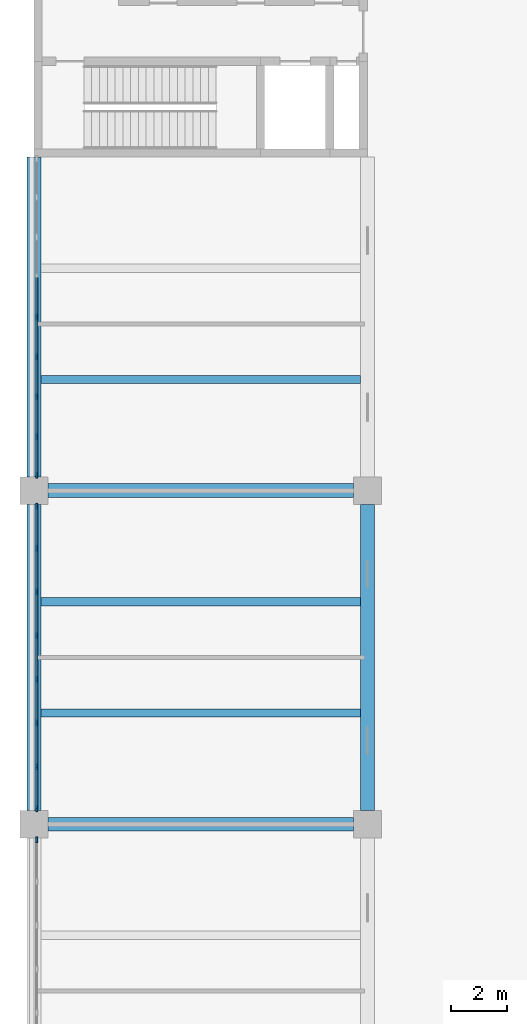
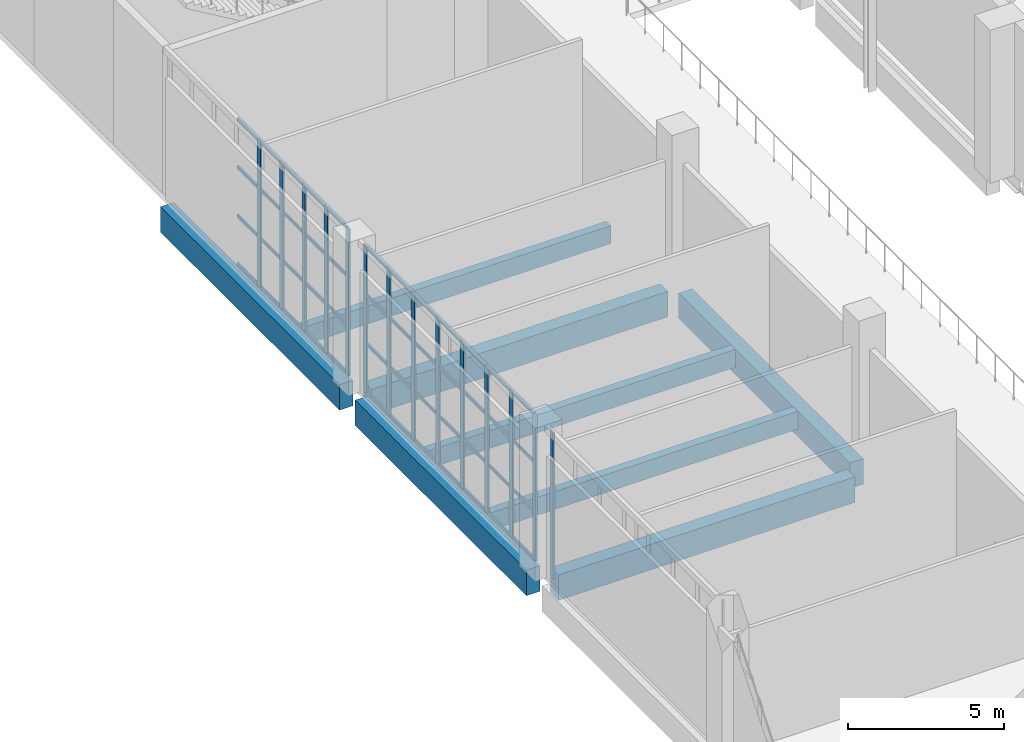
# One storey, part 19 of 72: 62 members, 8 beams, 3 elements without a shape of their own.
"""IFC4 building model written with IfcOpenShell, lengths in metres."""

from ifc_helpers import new_model, si_unit, direction, frame, origin, origin_2d, place, context, subcontext, project, spatial, rectangle, extrude, material, layer, layer_set, material_profile, profile_set, type_object, element, aggregate, save


model = new_model("IFC4")

# Units and contexts
model_context = context("Model", 3, precision=1e-05, world=origin(), true_north=direction((0.0, 1.0)))
body_context = subcontext(model_context, "Body", "Model", "MODEL_VIEW")
ifc_project = project(units=[si_unit("LENGTHUNIT", "METRE"), si_unit("AREAUNIT", "SQUARE_METRE"), si_unit("VOLUMEUNIT", "CUBIC_METRE"), si_unit("PLANEANGLEUNIT", "RADIAN"), si_unit("MASSUNIT", "GRAM", prefix="KILO")], contexts=[model_context])

# Site, building, storey
site_placement = place(None, origin())
site = spatial("IfcSite", under=ifc_project, at=site_placement, CompositionType="ELEMENT")
building_placement = place(site_placement, origin())
building = spatial("IfcBuilding", under=site, at=building_placement, Name="Lilac Gate Convention Centre", CompositionType="ELEMENT")
storey_placement = place(building_placement, frame((0.0, 0.0, 6.0)))
storey = spatial("IfcBuildingStorey", under=building, at=storey_placement, Name="L01", CompositionType="ELEMENT", Elevation=6.0)

# Curtain wall, members
ifc_material_1 = material(Name="Aluminium framed double glazing", Category="aluminium")
ifc_layer = layer(ifc_material_1, 0.199951171875)
ifc_layer_set = layer_set([ifc_layer], Name="Aluminium framed double glazing")
curtain_wall_type = type_object("IfcCurtainWallType", Name="Unitised curtain wall 1500", PredefinedType="NOTDEFINED", material=ifc_layer_set)
curtain_wall_1_placement = place(storey_placement, origin())
curtain_wall_1 = element("IfcCurtainWall", 1, at=curtain_wall_1_placement, inside=storey, type_object=curtain_wall_type, Name="Curtain wall PW L01 5", PredefinedType="NOTDEFINED")
ifc_material_2 = material(Name="Aluminium alloy 6063", Category="aluminium")
ifc_material_profile_1 = material_profile(ifc_material_2, rectangle(XDim=0.06005859375, YDim=0.219970703125, at=origin_2d()), Name="Curtain wall mullion 60 x 220")
ifc_profile_set_1 = profile_set([ifc_material_profile_1], Name="Aluminium alloy 6063")
member_type_1 = type_object("IfcMemberType", Name="Curtain wall mullion 60 x 220", PredefinedType="MULLION", material=ifc_profile_set_1)
member_1_placement = place(storey_placement, frame((6.10009765625, 144.25, 0.0), z_axis=(0.0, 0.0, 1.0), x_axis=(1.0, 0.0, 0.0)))
member_1 = element("IfcMember", 2, at=member_1_placement, type_object=member_type_1, Name="CW mullion 5", PredefinedType="MULLION", context=body_context, shape_type="SweptSolid", body=[
    extrude(rectangle(XDim=0.06005859375, YDim=0.219970703125, at=origin_2d()), origin(), (0.0, 0.0, 1.0), 5.75),
])
member_2_placement = place(storey_placement, frame((6.10009765625, 142.8125, 0.0), z_axis=(0.0, 0.0, 1.0), x_axis=(1.0, 0.0, 0.0)))
member_2 = element("IfcMember", 3, at=member_2_placement, type_object=member_type_1, Name="CW mullion 6", PredefinedType="MULLION", context=body_context, shape_type="SweptSolid", body=[
    extrude(rectangle(XDim=0.06005859375, YDim=0.219970703125, at=origin_2d()), origin(), (0.0, 0.0, 1.0), 5.75),
])
member_3_placement = place(storey_placement, frame((6.10009765625, 141.375, 0.0), z_axis=(0.0, 0.0, 1.0), x_axis=(1.0, 0.0, 0.0)))
member_3 = element("IfcMember", 4, at=member_3_placement, type_object=member_type_1, Name="CW mullion 7", PredefinedType="MULLION", context=body_context, shape_type="SweptSolid", body=[
    extrude(rectangle(XDim=0.06005859375, YDim=0.219970703125, at=origin_2d()), origin(), (0.0, 0.0, 1.0), 5.75),
])
member_4_placement = place(storey_placement, frame((6.10009765625, 139.9375, 0.0), z_axis=(0.0, 0.0, 1.0), x_axis=(1.0, 0.0, 0.0)))
member_4 = element("IfcMember", 5, at=member_4_placement, type_object=member_type_1, Name="CW mullion 8", PredefinedType="MULLION", context=body_context, shape_type="SweptSolid", body=[
    extrude(rectangle(XDim=0.06005859375, YDim=0.219970703125, at=origin_2d()), origin(), (0.0, 0.0, 1.0), 5.75),
])
member_5_placement = place(storey_placement, frame((6.10009765625, 138.56005859375, 0.0), z_axis=(0.0, 0.0, 1.0), x_axis=(1.0, 0.0, 0.0)))
member_5 = element("IfcMember", 6, at=member_5_placement, type_object=member_type_1, Name="CW mullion 9", PredefinedType="MULLION", context=body_context, shape_type="SweptSolid", body=[
    extrude(rectangle(XDim=0.06005859375, YDim=0.219970703125, at=origin_2d()), origin(), (0.0, 0.0, 1.0), 5.75),
])

curtain_wall_2_placement = place(storey_placement, origin())
curtain_wall_2 = element("IfcCurtainWall", 7, at=curtain_wall_2_placement, inside=storey, type_object=curtain_wall_type, Name="Curtain wall PW L01 6", PredefinedType="NOTDEFINED")
member_6_placement = place(storey_placement, frame((6.10009765625, 137.43994140625, 0.0), z_axis=(0.0, 0.0, 1.0), x_axis=(1.0, 0.0, 0.0)))
member_6 = element("IfcMember", 8, at=member_6_placement, type_object=member_type_1, Name="CW mullion 1", PredefinedType="MULLION", context=body_context, shape_type="SweptSolid", body=[
    extrude(rectangle(XDim=0.06005859375, YDim=0.219970703125, at=origin_2d()), origin(), (0.0, 0.0, 1.0), 5.75),
])
member_7_placement = place(storey_placement, frame((6.10009765625, 135.928466796875, 0.0), z_axis=(0.0, 0.0, 1.0), x_axis=(1.0, 0.0, 0.0)))
member_7 = element("IfcMember", 9, at=member_7_placement, type_object=member_type_1, Name="CW mullion 2", PredefinedType="MULLION", context=body_context, shape_type="SweptSolid", body=[
    extrude(rectangle(XDim=0.06005859375, YDim=0.219970703125, at=origin_2d()), origin(), (0.0, 0.0, 1.0), 5.75),
])
member_8_placement = place(storey_placement, frame((6.10009765625, 134.357177734375, 0.0), z_axis=(0.0, 0.0, 1.0), x_axis=(1.0, 0.0, 0.0)))
member_8 = element("IfcMember", 10, at=member_8_placement, type_object=member_type_1, Name="CW mullion 3", PredefinedType="MULLION", context=body_context, shape_type="SweptSolid", body=[
    extrude(rectangle(XDim=0.06005859375, YDim=0.219970703125, at=origin_2d()), origin(), (0.0, 0.0, 1.0), 5.75),
])
member_9_placement = place(storey_placement, frame((6.10009765625, 132.78564453125, 0.0), z_axis=(0.0, 0.0, 1.0), x_axis=(1.0, 0.0, 0.0)))
member_9 = element("IfcMember", 11, at=member_9_placement, type_object=member_type_1, Name="CW mullion 4", PredefinedType="MULLION", context=body_context, shape_type="SweptSolid", body=[
    extrude(rectangle(XDim=0.06005859375, YDim=0.219970703125, at=origin_2d()), origin(), (0.0, 0.0, 1.0), 5.75),
])
member_10_placement = place(storey_placement, frame((6.10009765625, 131.21435546875, 0.0), z_axis=(0.0, 0.0, 1.0), x_axis=(1.0, 0.0, 0.0)))
member_10 = element("IfcMember", 12, at=member_10_placement, type_object=member_type_1, Name="CW mullion 5", PredefinedType="MULLION", context=body_context, shape_type="SweptSolid", body=[
    extrude(rectangle(XDim=0.06005859375, YDim=0.219970703125, at=origin_2d()), origin(), (0.0, 0.0, 1.0), 5.75),
])
member_11_placement = place(storey_placement, frame((6.10009765625, 129.642822265625, 0.0), z_axis=(0.0, 0.0, 1.0), x_axis=(1.0, 0.0, 0.0)))
member_11 = element("IfcMember", 13, at=member_11_placement, type_object=member_type_1, Name="CW mullion 6", PredefinedType="MULLION", context=body_context, shape_type="SweptSolid", body=[
    extrude(rectangle(XDim=0.06005859375, YDim=0.219970703125, at=origin_2d()), origin(), (0.0, 0.0, 1.0), 5.75),
])
member_12_placement = place(storey_placement, frame((6.10009765625, 128.071533203125, 0.0), z_axis=(0.0, 0.0, 1.0), x_axis=(1.0, 0.0, 0.0)))
member_12 = element("IfcMember", 14, at=member_12_placement, type_object=member_type_1, Name="CW mullion 7", PredefinedType="MULLION", context=body_context, shape_type="SweptSolid", body=[
    extrude(rectangle(XDim=0.06005859375, YDim=0.219970703125, at=origin_2d()), origin(), (0.0, 0.0, 1.0), 5.75),
])
member_13_placement = place(storey_placement, frame((6.10009765625, 126.56005859375, 0.0), z_axis=(0.0, 0.0, 1.0), x_axis=(1.0, 0.0, 0.0)))
member_13 = element("IfcMember", 15, at=member_13_placement, type_object=member_type_1, Name="CW mullion 8", PredefinedType="MULLION", context=body_context, shape_type="SweptSolid", body=[
    extrude(rectangle(XDim=0.06005859375, YDim=0.219970703125, at=origin_2d()), origin(), (0.0, 0.0, 1.0), 5.75),
])

# Curtain wall, member
curtain_wall_3_placement = place(storey_placement, origin())
curtain_wall_3 = element("IfcCurtainWall", 16, at=curtain_wall_3_placement, inside=storey, type_object=curtain_wall_type, Name="Curtain wall PW L01 7", PredefinedType="NOTDEFINED")
member_14_placement = place(storey_placement, frame((6.10009765625, 125.43994140625, 0.0), z_axis=(0.0, 0.0, 1.0), x_axis=(1.0, 0.0, 0.0)))
member_14 = element("IfcMember", 17, at=member_14_placement, type_object=member_type_1, Name="CW mullion 1", PredefinedType="MULLION", context=body_context, shape_type="SweptSolid", body=[
    extrude(rectangle(XDim=0.06005859375, YDim=0.219970703125, at=origin_2d()), origin(), (0.0, 0.0, 1.0), 5.75),
])
aggregate(curtain_wall_3, [member_14])

# Member
ifc_material_profile_2 = material_profile(ifc_material_2, rectangle(XDim=0.06005859375, YDim=0.1201171875, at=origin_2d()), Name="Curtain wall transom 60 x 120")
ifc_profile_set_2 = profile_set([ifc_material_profile_2], Name="Aluminium alloy 6063")
member_type_2 = type_object("IfcMemberType", Name="Curtain wall transom 60 x 120", PredefinedType="USERDEFINED", material=ifc_profile_set_2)
member_15_placement = place(storey_placement, frame((6.10009765625, 145.657470703125, 0.030029296875), z_axis=(0.0, -1.0, 0.0), x_axis=(1.0, 0.0, 0.0)))
member_15 = element("IfcMember", 18, at=member_15_placement, type_object=member_type_2, Name="CW transom 4.1", ObjectType="TRANSOM", PredefinedType="USERDEFINED", context=body_context, shape_type="SweptSolid", body=[
    extrude(rectangle(XDim=0.06005859375, YDim=0.1201171875, at=origin_2d()), origin(), (0.0, 0.0, 1.0), 1.37744140625),
])

member_16_placement = place(storey_placement, frame((6.10009765625, 145.657470703125, 1.916748046875), z_axis=(0.0, -1.0, 0.0), x_axis=(1.0, 0.0, 0.0)))
member_16 = element("IfcMember", 19, at=member_16_placement, type_object=member_type_2, Name="CW transom 4.2", ObjectType="TRANSOM", PredefinedType="USERDEFINED", context=body_context, shape_type="SweptSolid", body=[
    extrude(rectangle(XDim=0.06005859375, YDim=0.1201171875, at=origin_2d()), origin(), (0.0, 0.0, 1.0), 1.37744140625),
])

member_17_placement = place(storey_placement, frame((6.10009765625, 145.657470703125, 3.833251953125), z_axis=(0.0, -1.0, 0.0), x_axis=(1.0, 0.0, 0.0)))
member_17 = element("IfcMember", 20, at=member_17_placement, type_object=member_type_2, Name="CW transom 4.3", ObjectType="TRANSOM", PredefinedType="USERDEFINED", context=body_context, shape_type="SweptSolid", body=[
    extrude(rectangle(XDim=0.06005859375, YDim=0.1201171875, at=origin_2d()), origin(), (0.0, 0.0, 1.0), 1.37744140625),
])

member_18_placement = place(storey_placement, frame((6.10009765625, 145.657470703125, 5.719970703125), z_axis=(0.0, -1.0, 0.0), x_axis=(1.0, 0.0, 0.0)))
member_18 = element("IfcMember", 21, at=member_18_placement, type_object=member_type_2, Name="CW transom 4.4", ObjectType="TRANSOM", PredefinedType="USERDEFINED", context=body_context, shape_type="SweptSolid", body=[
    extrude(rectangle(XDim=0.06005859375, YDim=0.1201171875, at=origin_2d()), origin(), (0.0, 0.0, 1.0), 1.37744140625),
])

member_19_placement = place(storey_placement, frame((6.10009765625, 144.219970703125, 0.030029296875), z_axis=(0.0, -1.0, 0.0), x_axis=(1.0, 0.0, 0.0)))
member_19 = element("IfcMember", 22, at=member_19_placement, type_object=member_type_2, Name="CW transom 5.1", ObjectType="TRANSOM", PredefinedType="USERDEFINED", context=body_context, shape_type="SweptSolid", body=[
    extrude(rectangle(XDim=0.06005859375, YDim=0.1201171875, at=origin_2d()), origin(), (0.0, 0.0, 1.0), 1.37744140625),
])

member_20_placement = place(storey_placement, frame((6.10009765625, 144.219970703125, 1.916748046875), z_axis=(0.0, -1.0, 0.0), x_axis=(1.0, 0.0, 0.0)))
member_20 = element("IfcMember", 23, at=member_20_placement, type_object=member_type_2, Name="CW transom 5.2", ObjectType="TRANSOM", PredefinedType="USERDEFINED", context=body_context, shape_type="SweptSolid", body=[
    extrude(rectangle(XDim=0.06005859375, YDim=0.1201171875, at=origin_2d()), origin(), (0.0, 0.0, 1.0), 1.37744140625),
])

member_21_placement = place(storey_placement, frame((6.10009765625, 144.219970703125, 3.833251953125), z_axis=(0.0, -1.0, 0.0), x_axis=(1.0, 0.0, 0.0)))
member_21 = element("IfcMember", 24, at=member_21_placement, type_object=member_type_2, Name="CW transom 5.3", ObjectType="TRANSOM", PredefinedType="USERDEFINED", context=body_context, shape_type="SweptSolid", body=[
    extrude(rectangle(XDim=0.06005859375, YDim=0.1201171875, at=origin_2d()), origin(), (0.0, 0.0, 1.0), 1.37744140625),
])

member_22_placement = place(storey_placement, frame((6.10009765625, 144.219970703125, 5.719970703125), z_axis=(0.0, -1.0, 0.0), x_axis=(1.0, 0.0, 0.0)))
member_22 = element("IfcMember", 25, at=member_22_placement, type_object=member_type_2, Name="CW transom 5.4", ObjectType="TRANSOM", PredefinedType="USERDEFINED", context=body_context, shape_type="SweptSolid", body=[
    extrude(rectangle(XDim=0.06005859375, YDim=0.1201171875, at=origin_2d()), origin(), (0.0, 0.0, 1.0), 1.37744140625),
])

member_23_placement = place(storey_placement, frame((6.10009765625, 142.782470703125, 0.030029296875), z_axis=(0.0, -1.0, 0.0), x_axis=(1.0, 0.0, 0.0)))
member_23 = element("IfcMember", 26, at=member_23_placement, type_object=member_type_2, Name="CW transom 6.1", ObjectType="TRANSOM", PredefinedType="USERDEFINED", context=body_context, shape_type="SweptSolid", body=[
    extrude(rectangle(XDim=0.06005859375, YDim=0.1201171875, at=origin_2d()), origin(), (0.0, 0.0, 1.0), 1.37744140625),
])

member_24_placement = place(storey_placement, frame((6.10009765625, 142.782470703125, 1.916748046875), z_axis=(0.0, -1.0, 0.0), x_axis=(1.0, 0.0, 0.0)))
member_24 = element("IfcMember", 27, at=member_24_placement, type_object=member_type_2, Name="CW transom 6.2", ObjectType="TRANSOM", PredefinedType="USERDEFINED", context=body_context, shape_type="SweptSolid", body=[
    extrude(rectangle(XDim=0.06005859375, YDim=0.1201171875, at=origin_2d()), origin(), (0.0, 0.0, 1.0), 1.37744140625),
])

member_25_placement = place(storey_placement, frame((6.10009765625, 142.782470703125, 3.833251953125), z_axis=(0.0, -1.0, 0.0), x_axis=(1.0, 0.0, 0.0)))
member_25 = element("IfcMember", 28, at=member_25_placement, type_object=member_type_2, Name="CW transom 6.3", ObjectType="TRANSOM", PredefinedType="USERDEFINED", context=body_context, shape_type="SweptSolid", body=[
    extrude(rectangle(XDim=0.06005859375, YDim=0.1201171875, at=origin_2d()), origin(), (0.0, 0.0, 1.0), 1.37744140625),
])

member_26_placement = place(storey_placement, frame((6.10009765625, 142.782470703125, 5.719970703125), z_axis=(0.0, -1.0, 0.0), x_axis=(1.0, 0.0, 0.0)))
member_26 = element("IfcMember", 29, at=member_26_placement, type_object=member_type_2, Name="CW transom 6.4", ObjectType="TRANSOM", PredefinedType="USERDEFINED", context=body_context, shape_type="SweptSolid", body=[
    extrude(rectangle(XDim=0.06005859375, YDim=0.1201171875, at=origin_2d()), origin(), (0.0, 0.0, 1.0), 1.37744140625),
])

member_27_placement = place(storey_placement, frame((6.10009765625, 141.344970703125, 0.030029296875), z_axis=(0.0, -1.0, 0.0), x_axis=(1.0, 0.0, 0.0)))
member_27 = element("IfcMember", 30, at=member_27_placement, type_object=member_type_2, Name="CW transom 7.1", ObjectType="TRANSOM", PredefinedType="USERDEFINED", context=body_context, shape_type="SweptSolid", body=[
    extrude(rectangle(XDim=0.06005859375, YDim=0.1201171875, at=origin_2d()), origin(), (0.0, 0.0, 1.0), 1.37744140625),
])

member_28_placement = place(storey_placement, frame((6.10009765625, 141.344970703125, 1.916748046875), z_axis=(0.0, -1.0, 0.0), x_axis=(1.0, 0.0, 0.0)))
member_28 = element("IfcMember", 31, at=member_28_placement, type_object=member_type_2, Name="CW transom 7.2", ObjectType="TRANSOM", PredefinedType="USERDEFINED", context=body_context, shape_type="SweptSolid", body=[
    extrude(rectangle(XDim=0.06005859375, YDim=0.1201171875, at=origin_2d()), origin(), (0.0, 0.0, 1.0), 1.37744140625),
])

member_29_placement = place(storey_placement, frame((6.10009765625, 141.344970703125, 3.833251953125), z_axis=(0.0, -1.0, 0.0), x_axis=(1.0, 0.0, 0.0)))
member_29 = element("IfcMember", 32, at=member_29_placement, type_object=member_type_2, Name="CW transom 7.3", ObjectType="TRANSOM", PredefinedType="USERDEFINED", context=body_context, shape_type="SweptSolid", body=[
    extrude(rectangle(XDim=0.06005859375, YDim=0.1201171875, at=origin_2d()), origin(), (0.0, 0.0, 1.0), 1.37744140625),
])

member_30_placement = place(storey_placement, frame((6.10009765625, 141.344970703125, 5.719970703125), z_axis=(0.0, -1.0, 0.0), x_axis=(1.0, 0.0, 0.0)))
member_30 = element("IfcMember", 33, at=member_30_placement, type_object=member_type_2, Name="CW transom 7.4", ObjectType="TRANSOM", PredefinedType="USERDEFINED", context=body_context, shape_type="SweptSolid", body=[
    extrude(rectangle(XDim=0.06005859375, YDim=0.1201171875, at=origin_2d()), origin(), (0.0, 0.0, 1.0), 1.37744140625),
])

member_31_placement = place(storey_placement, frame((6.10009765625, 139.907470703125, 0.030029296875), z_axis=(0.0, -1.0, 0.0), x_axis=(1.0, 0.0, 0.0)))
member_31 = element("IfcMember", 34, at=member_31_placement, type_object=member_type_2, Name="CW transom 8.1", ObjectType="TRANSOM", PredefinedType="USERDEFINED", context=body_context, shape_type="SweptSolid", body=[
    extrude(rectangle(XDim=0.06005859375, YDim=0.1201171875, at=origin_2d()), origin(), (0.0, 0.0, 1.0), 1.347412109375),
])

member_32_placement = place(storey_placement, frame((6.10009765625, 139.907470703125, 1.916748046875), z_axis=(0.0, -1.0, 0.0), x_axis=(1.0, 0.0, 0.0)))
member_32 = element("IfcMember", 35, at=member_32_placement, type_object=member_type_2, Name="CW transom 8.2", ObjectType="TRANSOM", PredefinedType="USERDEFINED", context=body_context, shape_type="SweptSolid", body=[
    extrude(rectangle(XDim=0.06005859375, YDim=0.1201171875, at=origin_2d()), origin(), (0.0, 0.0, 1.0), 1.347412109375),
])

member_33_placement = place(storey_placement, frame((6.10009765625, 139.907470703125, 3.833251953125), z_axis=(0.0, -1.0, 0.0), x_axis=(1.0, 0.0, 0.0)))
member_33 = element("IfcMember", 36, at=member_33_placement, type_object=member_type_2, Name="CW transom 8.3", ObjectType="TRANSOM", PredefinedType="USERDEFINED", context=body_context, shape_type="SweptSolid", body=[
    extrude(rectangle(XDim=0.06005859375, YDim=0.1201171875, at=origin_2d()), origin(), (0.0, 0.0, 1.0), 1.347412109375),
])

member_34_placement = place(storey_placement, frame((6.10009765625, 139.907470703125, 5.719970703125), z_axis=(0.0, -1.0, 0.0), x_axis=(1.0, 0.0, 0.0)))
member_34 = element("IfcMember", 37, at=member_34_placement, type_object=member_type_2, Name="CW transom 8.4", ObjectType="TRANSOM", PredefinedType="USERDEFINED", context=body_context, shape_type="SweptSolid", body=[
    extrude(rectangle(XDim=0.06005859375, YDim=0.1201171875, at=origin_2d()), origin(), (0.0, 0.0, 1.0), 1.347412109375),
])

aggregate(curtain_wall_1, [member_1, member_2, member_3, member_4, member_5, member_15, member_16, member_17, member_18, member_19, member_20, member_21, member_22, member_23, member_24, member_25, member_26, member_27, member_28, member_29, member_30, member_31, member_32, member_33, member_34])

member_35_placement = place(storey_placement, frame((6.10009765625, 137.43994140625, 0.030029296875), z_axis=(0.0, -1.0, 0.0), x_axis=(1.0, 0.0, 0.0)))
member_35 = element("IfcMember", 38, at=member_35_placement, type_object=member_type_2, Name="CW transom 1.1", ObjectType="TRANSOM", PredefinedType="USERDEFINED", context=body_context, shape_type="SweptSolid", body=[
    extrude(rectangle(XDim=0.06005859375, YDim=0.1201171875, at=origin_2d()), origin(), (0.0, 0.0, 1.0), 1.4814453125),
])

member_36_placement = place(storey_placement, frame((6.10009765625, 137.43994140625, 1.916748046875), z_axis=(0.0, -1.0, 0.0), x_axis=(1.0, 0.0, 0.0)))
member_36 = element("IfcMember", 39, at=member_36_placement, type_object=member_type_2, Name="CW transom 1.2", ObjectType="TRANSOM", PredefinedType="USERDEFINED", context=body_context, shape_type="SweptSolid", body=[
    extrude(rectangle(XDim=0.06005859375, YDim=0.1201171875, at=origin_2d()), origin(), (0.0, 0.0, 1.0), 1.4814453125),
])

member_37_placement = place(storey_placement, frame((6.10009765625, 137.43994140625, 3.833251953125), z_axis=(0.0, -1.0, 0.0), x_axis=(1.0, 0.0, 0.0)))
member_37 = element("IfcMember", 40, at=member_37_placement, type_object=member_type_2, Name="CW transom 1.3", ObjectType="TRANSOM", PredefinedType="USERDEFINED", context=body_context, shape_type="SweptSolid", body=[
    extrude(rectangle(XDim=0.06005859375, YDim=0.1201171875, at=origin_2d()), origin(), (0.0, 0.0, 1.0), 1.4814453125),
])

member_38_placement = place(storey_placement, frame((6.10009765625, 137.43994140625, 5.719970703125), z_axis=(0.0, -1.0, 0.0), x_axis=(1.0, 0.0, 0.0)))
member_38 = element("IfcMember", 41, at=member_38_placement, type_object=member_type_2, Name="CW transom 1.4", ObjectType="TRANSOM", PredefinedType="USERDEFINED", context=body_context, shape_type="SweptSolid", body=[
    extrude(rectangle(XDim=0.06005859375, YDim=0.1201171875, at=origin_2d()), origin(), (0.0, 0.0, 1.0), 1.4814453125),
])

member_39_placement = place(storey_placement, frame((6.10009765625, 135.898681640625, 0.030029296875), z_axis=(0.0, -1.0, 0.0), x_axis=(1.0, 0.0, 0.0)))
member_39 = element("IfcMember", 42, at=member_39_placement, type_object=member_type_2, Name="CW transom 2.1", ObjectType="TRANSOM", PredefinedType="USERDEFINED", context=body_context, shape_type="SweptSolid", body=[
    extrude(rectangle(XDim=0.06005859375, YDim=0.1201171875, at=origin_2d()), origin(), (0.0, 0.0, 1.0), 1.511474609375),
])

member_40_placement = place(storey_placement, frame((6.10009765625, 135.898681640625, 1.916748046875), z_axis=(0.0, -1.0, 0.0), x_axis=(1.0, 0.0, 0.0)))
member_40 = element("IfcMember", 43, at=member_40_placement, type_object=member_type_2, Name="CW transom 2.2", ObjectType="TRANSOM", PredefinedType="USERDEFINED", context=body_context, shape_type="SweptSolid", body=[
    extrude(rectangle(XDim=0.06005859375, YDim=0.1201171875, at=origin_2d()), origin(), (0.0, 0.0, 1.0), 1.511474609375),
])

member_41_placement = place(storey_placement, frame((6.10009765625, 135.898681640625, 3.833251953125), z_axis=(0.0, -1.0, 0.0), x_axis=(1.0, 0.0, 0.0)))
member_41 = element("IfcMember", 44, at=member_41_placement, type_object=member_type_2, Name="CW transom 2.3", ObjectType="TRANSOM", PredefinedType="USERDEFINED", context=body_context, shape_type="SweptSolid", body=[
    extrude(rectangle(XDim=0.06005859375, YDim=0.1201171875, at=origin_2d()), origin(), (0.0, 0.0, 1.0), 1.511474609375),
])

member_42_placement = place(storey_placement, frame((6.10009765625, 135.898681640625, 5.719970703125), z_axis=(0.0, -1.0, 0.0), x_axis=(1.0, 0.0, 0.0)))
member_42 = element("IfcMember", 45, at=member_42_placement, type_object=member_type_2, Name="CW transom 2.4", ObjectType="TRANSOM", PredefinedType="USERDEFINED", context=body_context, shape_type="SweptSolid", body=[
    extrude(rectangle(XDim=0.06005859375, YDim=0.1201171875, at=origin_2d()), origin(), (0.0, 0.0, 1.0), 1.511474609375),
])

member_43_placement = place(storey_placement, frame((6.10009765625, 134.3271484375, 0.030029296875), z_axis=(0.0, -1.0, 0.0), x_axis=(1.0, 0.0, 0.0)))
member_43 = element("IfcMember", 46, at=member_43_placement, type_object=member_type_2, Name="CW transom 3.1", ObjectType="TRANSOM", PredefinedType="USERDEFINED", context=body_context, shape_type="SweptSolid", body=[
    extrude(rectangle(XDim=0.06005859375, YDim=0.1201171875, at=origin_2d()), origin(), (0.0, 0.0, 1.0), 1.511474609375),
])

member_44_placement = place(storey_placement, frame((6.10009765625, 134.3271484375, 1.916748046875), z_axis=(0.0, -1.0, 0.0), x_axis=(1.0, 0.0, 0.0)))
member_44 = element("IfcMember", 47, at=member_44_placement, type_object=member_type_2, Name="CW transom 3.2", ObjectType="TRANSOM", PredefinedType="USERDEFINED", context=body_context, shape_type="SweptSolid", body=[
    extrude(rectangle(XDim=0.06005859375, YDim=0.1201171875, at=origin_2d()), origin(), (0.0, 0.0, 1.0), 1.511474609375),
])

member_45_placement = place(storey_placement, frame((6.10009765625, 134.3271484375, 3.833251953125), z_axis=(0.0, -1.0, 0.0), x_axis=(1.0, 0.0, 0.0)))
member_45 = element("IfcMember", 48, at=member_45_placement, type_object=member_type_2, Name="CW transom 3.3", ObjectType="TRANSOM", PredefinedType="USERDEFINED", context=body_context, shape_type="SweptSolid", body=[
    extrude(rectangle(XDim=0.06005859375, YDim=0.1201171875, at=origin_2d()), origin(), (0.0, 0.0, 1.0), 1.511474609375),
])

member_46_placement = place(storey_placement, frame((6.10009765625, 134.3271484375, 5.719970703125), z_axis=(0.0, -1.0, 0.0), x_axis=(1.0, 0.0, 0.0)))
member_46 = element("IfcMember", 49, at=member_46_placement, type_object=member_type_2, Name="CW transom 3.4", ObjectType="TRANSOM", PredefinedType="USERDEFINED", context=body_context, shape_type="SweptSolid", body=[
    extrude(rectangle(XDim=0.06005859375, YDim=0.1201171875, at=origin_2d()), origin(), (0.0, 0.0, 1.0), 1.511474609375),
])

member_47_placement = place(storey_placement, frame((6.10009765625, 132.755615234375, 0.030029296875), z_axis=(0.0, -1.0, 0.0), x_axis=(1.0, 0.0, 0.0)))
member_47 = element("IfcMember", 50, at=member_47_placement, type_object=member_type_2, Name="CW transom 4.1", ObjectType="TRANSOM", PredefinedType="USERDEFINED", context=body_context, shape_type="SweptSolid", body=[
    extrude(rectangle(XDim=0.06005859375, YDim=0.1201171875, at=origin_2d()), origin(), (0.0, 0.0, 1.0), 1.51123046875),
])

member_48_placement = place(storey_placement, frame((6.10009765625, 132.755615234375, 1.916748046875), z_axis=(0.0, -1.0, 0.0), x_axis=(1.0, 0.0, 0.0)))
member_48 = element("IfcMember", 51, at=member_48_placement, type_object=member_type_2, Name="CW transom 4.2", ObjectType="TRANSOM", PredefinedType="USERDEFINED", context=body_context, shape_type="SweptSolid", body=[
    extrude(rectangle(XDim=0.06005859375, YDim=0.1201171875, at=origin_2d()), origin(), (0.0, 0.0, 1.0), 1.51123046875),
])

member_49_placement = place(storey_placement, frame((6.10009765625, 132.755615234375, 3.833251953125), z_axis=(0.0, -1.0, 0.0), x_axis=(1.0, 0.0, 0.0)))
member_49 = element("IfcMember", 52, at=member_49_placement, type_object=member_type_2, Name="CW transom 4.3", ObjectType="TRANSOM", PredefinedType="USERDEFINED", context=body_context, shape_type="SweptSolid", body=[
    extrude(rectangle(XDim=0.06005859375, YDim=0.1201171875, at=origin_2d()), origin(), (0.0, 0.0, 1.0), 1.51123046875),
])

member_50_placement = place(storey_placement, frame((6.10009765625, 132.755615234375, 5.719970703125), z_axis=(0.0, -1.0, 0.0), x_axis=(1.0, 0.0, 0.0)))
member_50 = element("IfcMember", 53, at=member_50_placement, type_object=member_type_2, Name="CW transom 4.4", ObjectType="TRANSOM", PredefinedType="USERDEFINED", context=body_context, shape_type="SweptSolid", body=[
    extrude(rectangle(XDim=0.06005859375, YDim=0.1201171875, at=origin_2d()), origin(), (0.0, 0.0, 1.0), 1.51123046875),
])

member_51_placement = place(storey_placement, frame((6.10009765625, 131.184326171875, 0.030029296875), z_axis=(0.0, -1.0, 0.0), x_axis=(1.0, 0.0, 0.0)))
member_51 = element("IfcMember", 54, at=member_51_placement, type_object=member_type_2, Name="CW transom 5.1", ObjectType="TRANSOM", PredefinedType="USERDEFINED", context=body_context, shape_type="SweptSolid", body=[
    extrude(rectangle(XDim=0.06005859375, YDim=0.1201171875, at=origin_2d()), origin(), (0.0, 0.0, 1.0), 1.511474609375),
])

member_52_placement = place(storey_placement, frame((6.10009765625, 131.184326171875, 1.916748046875), z_axis=(0.0, -1.0, 0.0), x_axis=(1.0, 0.0, 0.0)))
member_52 = element("IfcMember", 55, at=member_52_placement, type_object=member_type_2, Name="CW transom 5.2", ObjectType="TRANSOM", PredefinedType="USERDEFINED", context=body_context, shape_type="SweptSolid", body=[
    extrude(rectangle(XDim=0.06005859375, YDim=0.1201171875, at=origin_2d()), origin(), (0.0, 0.0, 1.0), 1.511474609375),
])

member_53_placement = place(storey_placement, frame((6.10009765625, 131.184326171875, 3.833251953125), z_axis=(0.0, -1.0, 0.0), x_axis=(1.0, 0.0, 0.0)))
member_53 = element("IfcMember", 56, at=member_53_placement, type_object=member_type_2, Name="CW transom 5.3", ObjectType="TRANSOM", PredefinedType="USERDEFINED", context=body_context, shape_type="SweptSolid", body=[
    extrude(rectangle(XDim=0.06005859375, YDim=0.1201171875, at=origin_2d()), origin(), (0.0, 0.0, 1.0), 1.511474609375),
])

member_54_placement = place(storey_placement, frame((6.10009765625, 131.184326171875, 5.719970703125), z_axis=(0.0, -1.0, 0.0), x_axis=(1.0, 0.0, 0.0)))
member_54 = element("IfcMember", 57, at=member_54_placement, type_object=member_type_2, Name="CW transom 5.4", ObjectType="TRANSOM", PredefinedType="USERDEFINED", context=body_context, shape_type="SweptSolid", body=[
    extrude(rectangle(XDim=0.06005859375, YDim=0.1201171875, at=origin_2d()), origin(), (0.0, 0.0, 1.0), 1.511474609375),
])

member_55_placement = place(storey_placement, frame((6.10009765625, 129.61279296875, 0.030029296875), z_axis=(0.0, -1.0, 0.0), x_axis=(1.0, 0.0, 0.0)))
member_55 = element("IfcMember", 58, at=member_55_placement, type_object=member_type_2, Name="CW transom 6.1", ObjectType="TRANSOM", PredefinedType="USERDEFINED", context=body_context, shape_type="SweptSolid", body=[
    extrude(rectangle(XDim=0.06005859375, YDim=0.1201171875, at=origin_2d()), origin(), (0.0, 0.0, 1.0), 1.511474609375),
])

member_56_placement = place(storey_placement, frame((6.10009765625, 129.61279296875, 1.916748046875), z_axis=(0.0, -1.0, 0.0), x_axis=(1.0, 0.0, 0.0)))
member_56 = element("IfcMember", 59, at=member_56_placement, type_object=member_type_2, Name="CW transom 6.2", ObjectType="TRANSOM", PredefinedType="USERDEFINED", context=body_context, shape_type="SweptSolid", body=[
    extrude(rectangle(XDim=0.06005859375, YDim=0.1201171875, at=origin_2d()), origin(), (0.0, 0.0, 1.0), 1.511474609375),
])

member_57_placement = place(storey_placement, frame((6.10009765625, 129.61279296875, 3.833251953125), z_axis=(0.0, -1.0, 0.0), x_axis=(1.0, 0.0, 0.0)))
member_57 = element("IfcMember", 60, at=member_57_placement, type_object=member_type_2, Name="CW transom 6.3", ObjectType="TRANSOM", PredefinedType="USERDEFINED", context=body_context, shape_type="SweptSolid", body=[
    extrude(rectangle(XDim=0.06005859375, YDim=0.1201171875, at=origin_2d()), origin(), (0.0, 0.0, 1.0), 1.511474609375),
])

member_58_placement = place(storey_placement, frame((6.10009765625, 129.61279296875, 5.719970703125), z_axis=(0.0, -1.0, 0.0), x_axis=(1.0, 0.0, 0.0)))
member_58 = element("IfcMember", 61, at=member_58_placement, type_object=member_type_2, Name="CW transom 6.4", ObjectType="TRANSOM", PredefinedType="USERDEFINED", context=body_context, shape_type="SweptSolid", body=[
    extrude(rectangle(XDim=0.06005859375, YDim=0.1201171875, at=origin_2d()), origin(), (0.0, 0.0, 1.0), 1.511474609375),
])

member_59_placement = place(storey_placement, frame((6.10009765625, 128.04150390625, 0.030029296875), z_axis=(0.0, -1.0, 0.0), x_axis=(1.0, 0.0, 0.0)))
member_59 = element("IfcMember", 62, at=member_59_placement, type_object=member_type_2, Name="CW transom 7.1", ObjectType="TRANSOM", PredefinedType="USERDEFINED", context=body_context, shape_type="SweptSolid", body=[
    extrude(rectangle(XDim=0.06005859375, YDim=0.1201171875, at=origin_2d()), origin(), (0.0, 0.0, 1.0), 1.4814453125),
])

member_60_placement = place(storey_placement, frame((6.10009765625, 128.04150390625, 1.916748046875), z_axis=(0.0, -1.0, 0.0), x_axis=(1.0, 0.0, 0.0)))
member_60 = element("IfcMember", 63, at=member_60_placement, type_object=member_type_2, Name="CW transom 7.2", ObjectType="TRANSOM", PredefinedType="USERDEFINED", context=body_context, shape_type="SweptSolid", body=[
    extrude(rectangle(XDim=0.06005859375, YDim=0.1201171875, at=origin_2d()), origin(), (0.0, 0.0, 1.0), 1.4814453125),
])

member_61_placement = place(storey_placement, frame((6.10009765625, 128.04150390625, 3.833251953125), z_axis=(0.0, -1.0, 0.0), x_axis=(1.0, 0.0, 0.0)))
member_61 = element("IfcMember", 64, at=member_61_placement, type_object=member_type_2, Name="CW transom 7.3", ObjectType="TRANSOM", PredefinedType="USERDEFINED", context=body_context, shape_type="SweptSolid", body=[
    extrude(rectangle(XDim=0.06005859375, YDim=0.1201171875, at=origin_2d()), origin(), (0.0, 0.0, 1.0), 1.4814453125),
])

member_62_placement = place(storey_placement, frame((6.10009765625, 128.04150390625, 5.719970703125), z_axis=(0.0, -1.0, 0.0), x_axis=(1.0, 0.0, 0.0)))
member_62 = element("IfcMember", 65, at=member_62_placement, type_object=member_type_2, Name="CW transom 7.4", ObjectType="TRANSOM", PredefinedType="USERDEFINED", context=body_context, shape_type="SweptSolid", body=[
    extrude(rectangle(XDim=0.06005859375, YDim=0.1201171875, at=origin_2d()), origin(), (0.0, 0.0, 1.0), 1.4814453125),
])

aggregate(curtain_wall_2, [member_6, member_7, member_8, member_9, member_10, member_11, member_12, member_13, member_35, member_36, member_37, member_38, member_39, member_40, member_41, member_42, member_43, member_44, member_45, member_46, member_47, member_48, member_49, member_50, member_51, member_52, member_53, member_54, member_55, member_56, member_57, member_58, member_59, member_60, member_61, member_62])

# Beams
ifc_material_3 = material(Name="Concrete C40", Category="concrete")
ifc_material_profile_3 = material_profile(ifc_material_3, rectangle(XDim=0.5, YDim=1.0, at=origin_2d()), Name="RC 500x1000")
ifc_profile_set_3 = profile_set([ifc_material_profile_3], Name="Concrete C40")
beam_type_1 = type_object("IfcBeamType", Name="Primary beam 500x1000 C40", PredefinedType="BEAM", material=ifc_profile_set_3)
for number, where, z_axis, x_axis, name in (
    (66, (6.5, 126.0, -0.75), (1.0, 0.0, 0.0), (0.0, 1.0, 0.0), "RB1 L01 1/J-2/J"),
    (67, (6.5, 138.0, -0.75), (1.0, 0.0, 0.0), (0.0, 1.0, 0.0), "RB1 L01 1/K-2/K"),
    (68, (6.0, 126.5, -0.75), (0.0, 1.0, 0.0), (-1.0, 0.0, 0.0), "RB1 L01 1/J-1/K"),
):
    element("IfcBeam", number, at=place(storey_placement, frame(where, z_axis=z_axis, x_axis=x_axis)), inside=storey, type_object=beam_type_1, Name=name, PredefinedType="BEAM", context=body_context, shape_type="SweptSolid", body=[
        extrude(rectangle(XDim=0.5, YDim=1.0, at=origin_2d()), origin(), (0.0, 0.0, 1.0), 11.0),
    ])
beam_1_placement = place(storey_placement, frame((6.0, 138.5, -0.75), z_axis=(0.0, 1.0, 0.0), x_axis=(-1.0, 0.0, 0.0)))
element("IfcBeam", 69, at=beam_1_placement, inside=storey, type_object=beam_type_1, Name="RB1 L01 1/K-1/L", PredefinedType="BEAM", context=body_context, shape_type="SweptSolid", body=[
    extrude(rectangle(XDim=0.5, YDim=1.0, at=origin_2d()), origin(), (0.0, 0.0, 1.0), 11.5),
])
beam_2_placement = place(storey_placement, frame((18.0, 126.5, -0.75), z_axis=(0.0, 1.0, 0.0), x_axis=(-1.0, 0.0, 0.0)))
element("IfcBeam", 70, at=beam_2_placement, inside=storey, type_object=beam_type_1, Name="RB1 L01 2/J-2/K", PredefinedType="BEAM", context=body_context, shape_type="SweptSolid", body=[
    extrude(rectangle(XDim=0.5, YDim=1.0, at=origin_2d()), origin(), (0.0, 0.0, 1.0), 11.0),
])
ifc_material_profile_4 = material_profile(ifc_material_3, rectangle(XDim=0.300048828125, YDim=0.699951171875, at=origin_2d()), Name="RC 300x700")
ifc_profile_set_4 = profile_set([ifc_material_profile_4], Name="Concrete C40")
beam_type_2 = type_object("IfcBeamType", Name="Secondary beam 300x700 C40", PredefinedType="BEAM", material=ifc_profile_set_4)
for number, where, z_axis, x_axis, name in (
    (71, (6.25, 130.0, -0.60009765625), (1.0, 0.0, 0.0), (0.0, 1.0, 0.0), "RB2 L01 bay 1/J"),
    (72, (6.25, 134.0, -0.60009765625), (1.0, 0.0, 0.0), (0.0, 1.0, 0.0), "RB2 L01 bay 1/J"),
    (73, (6.25, 142.0, -0.60009765625), (1.0, 0.0, 0.0), (0.0, 1.0, 0.0), "RB2 L01 bay 1/K"),
):
    element("IfcBeam", number, at=place(storey_placement, frame(where, z_axis=z_axis, x_axis=x_axis)), inside=storey, type_object=beam_type_2, Name=name, PredefinedType="BEAM", context=body_context, shape_type="SweptSolid", body=[
        extrude(rectangle(XDim=0.300048828125, YDim=0.699951171875, at=origin_2d()), origin(), (0.0, 0.0, 1.0), 11.5),
    ])

save(model, "model.ifc")
